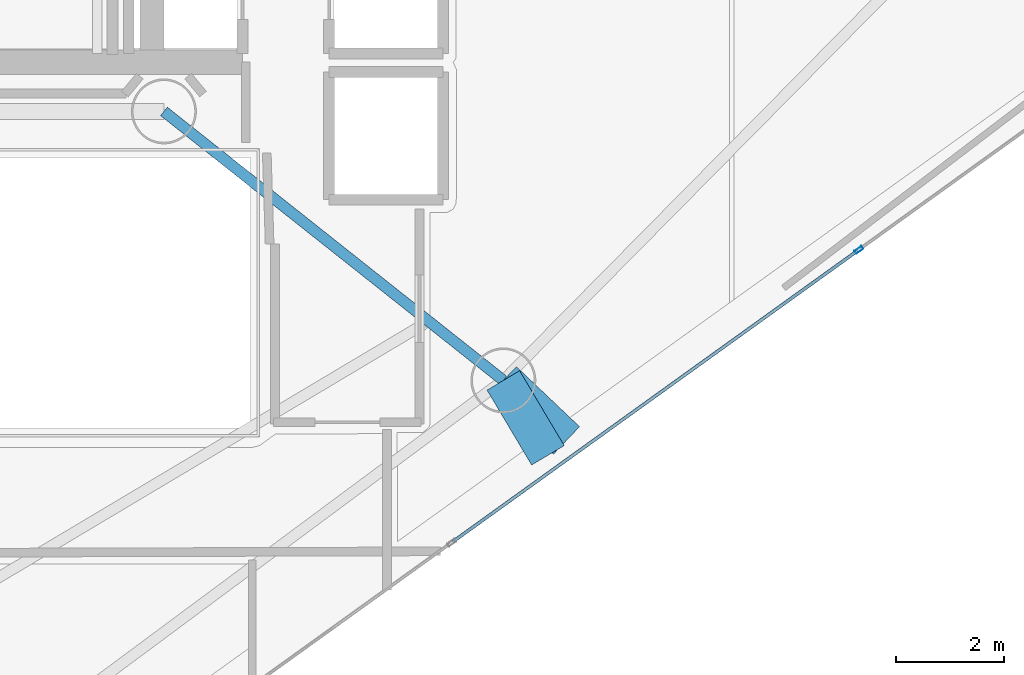
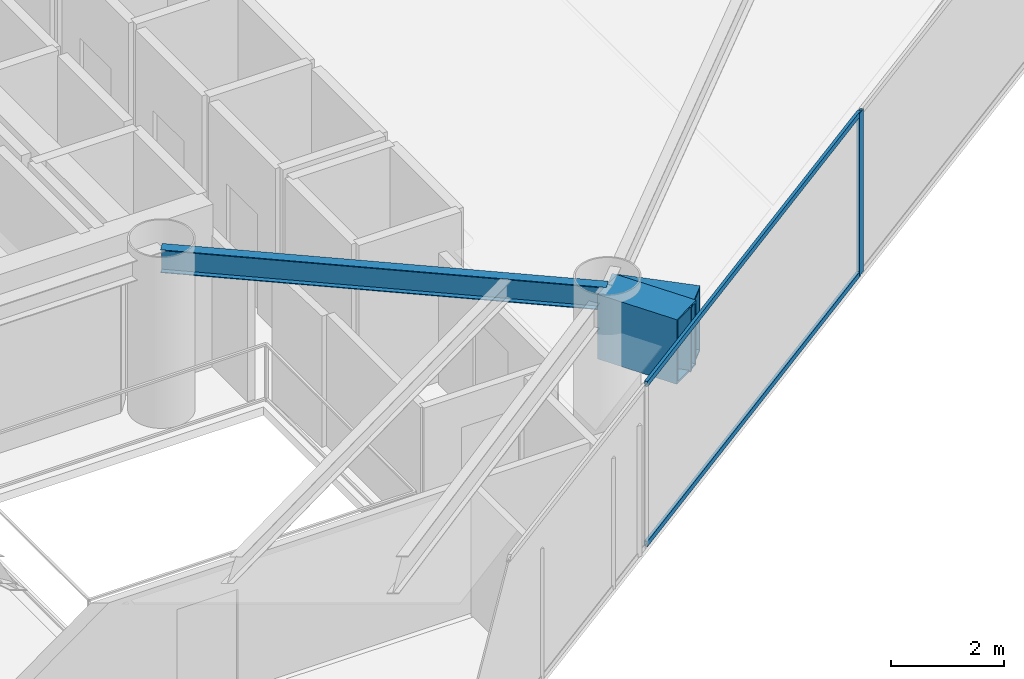
# One storey, part 7 of 22: 3 beams, 3 members, 1 element without a shape of its own.
"""IFC4 building model written with IfcOpenShell, lengths in metres."""

from ifc_helpers import new_model, si_unit, direction, frame, origin, origin_2d, place, context, subcontext, project, spatial, hollow_rectangle, i_section, extrude, material, layer, layer_set, material_profile, profile_set, type_object, element, aggregate, save


model = new_model("IFC4")

# Units and contexts
model_context = context("Model", 3, precision=1e-05, world=origin(), true_north=direction((0.0, 1.0)))
body_context = subcontext(model_context, "Body", "Model", "MODEL_VIEW")
ifc_project = project(units=[si_unit("LENGTHUNIT", "METRE"), si_unit("AREAUNIT", "SQUARE_METRE"), si_unit("VOLUMEUNIT", "CUBIC_METRE"), si_unit("PLANEANGLEUNIT", "RADIAN"), si_unit("MASSUNIT", "GRAM", prefix="KILO")], contexts=[model_context])

# Site, building, storey
site_placement = place(None, origin())
site = spatial("IfcSite", under=ifc_project, at=site_placement, CompositionType="ELEMENT")
building_placement = place(site_placement, origin())
building = spatial("IfcBuilding", under=site, at=building_placement, Name="Qianvela Tower", CompositionType="ELEMENT")
storey_placement = place(building_placement, frame((0.0, 0.0, 204.0)))
storey = spatial("IfcBuildingStorey", under=building, at=storey_placement, Name="L52", CompositionType="ELEMENT", Elevation=204.0)

# Beams
ifc_material_1 = material(Name="Steel Q355B", Category="steel")
ifc_material_profile_1 = material_profile(ifc_material_1, i_section(OverallWidth=0.199951171875, OverallDepth=0.5, WebThickness=0.010009765625, FlangeThickness=0.01611328125, at=origin_2d()), Name="HN500x200x10x16")
ifc_profile_set_1 = profile_set([ifc_material_profile_1], Name="Steel Q355B")
beam_type_1 = type_object("IfcBeamType", Name="BM-HN500-GIRD", PredefinedType="BEAM", material=ifc_profile_set_1)
beam_1_placement = place(storey_placement, frame((38.39990234375, 23.85009765625, 3.26806640625), z_axis=(0.783705217119, -0.621132942824, 0.0), x_axis=(0.621132942824, 0.783705217119, 0.0)))
element("IfcBeam", 1, at=beam_1_placement, inside=storey, type_object=beam_type_1, Name="L52 Radial Primary Floor Girder 6", PredefinedType="BEAM", context=body_context, shape_type="SweptSolid", body=[
    extrude(i_section(OverallWidth=0.199951171875, OverallDepth=0.5, WebThickness=0.010009765625, FlangeThickness=0.01611328125, at=origin_2d()), origin(), (0.0, 0.0, 1.0), 7.996826171875),
])
ifc_material_2 = material(Name="Steel Q420GJC", Category="steel")
ifc_material_profile_2 = material_profile(ifc_material_2, hollow_rectangle(XDim=0.699951171875, YDim=1.39990234375, WallThickness=0.0400390625, at=origin_2d()), Name="TG-BOX-1400x700x40")
ifc_profile_set_2 = profile_set([ifc_material_profile_2], Name="Steel Q420GJC")
beam_type_2 = type_object("IfcBeamType", Name="BM-TG-STEP-1400", PredefinedType="BEAM", material=ifc_profile_set_2)
beam_2_placement = place(storey_placement, frame((44.6669921875, 18.883056640625, 2.81494140625), z_axis=(0.511078421969, -0.859534086932, 0.0), x_axis=(0.859534086932, 0.511078421969, 0.0)))
element("IfcBeam", 2, at=beam_2_placement, inside=storey, type_object=beam_type_2, Name="L52 Mega-Brace Zone Base Bracket F3-1", PredefinedType="BEAM", context=body_context, shape_type="SweptSolid", body=[
    extrude(hollow_rectangle(XDim=0.699951171875, YDim=1.39990234375, WallThickness=0.0400390625, at=origin_2d()), origin(), (0.0, 0.0, 1.0), 1.609375),
])
beam_3_placement = place(storey_placement, frame((44.6669921875, 18.883056640625, 2.81494140625), z_axis=(0.724783475993, -0.688976714358, 0.0), x_axis=(0.688976714358, 0.724783475993, 0.0)))
element("IfcBeam", 3, at=beam_3_placement, inside=storey, type_object=beam_type_2, Name="L52 Mega-Brace Zone Base Bracket F3-2", PredefinedType="BEAM", context=body_context, shape_type="SweptSolid", body=[
    extrude(hollow_rectangle(XDim=0.699951171875, YDim=1.39990234375, WallThickness=0.0400390625, at=origin_2d()), origin(), (0.0, 0.0, 1.0), 1.609130859375),
])

# Curtain wall, members
ifc_material_3 = material(Name="Anodised Architectural Aluminium and Low-E Glass", Category="aluminium")
ifc_layer = layer(ifc_material_3, 0.159912109375)
ifc_layer_set = layer_set([ifc_layer], Name="Anodised Architectural Aluminium and Low-E Glass")
curtain_wall_type = type_object("IfcCurtainWallType", Name="CW-COLIV-Z56", PredefinedType="USERDEFINED", material=ifc_layer_set)
curtain_wall_placement = place(storey_placement, origin())
curtain_wall = element("IfcCurtainWall", 4, at=curtain_wall_placement, inside=storey, type_object=curtain_wall_type, Name="L52 CW-COLIV-Z56 Curtain Wall 06B", ObjectType="CURTAIN_WALL_SYSTEM", PredefinedType="USERDEFINED")
ifc_material_4 = material(Name="Anodised Architectural Aluminium 6063-T6", Category="aluminium")
ifc_material_profile_3 = material_profile(ifc_material_4, hollow_rectangle(XDim=0.06494140625, YDim=0.159912109375, WallThickness=0.0048828125, at=origin_2d()), Name="ALU-MULL-65x160")
ifc_profile_set_3 = profile_set([ifc_material_profile_3], Name="Anodised Architectural Aluminium 6063-T6")
member_type_1 = type_object("IfcMemberType", Name="CW-COLIV-Z56-MULL", PredefinedType="MULLION", material=ifc_profile_set_3)
member_1_placement = place(storey_placement, frame((51.23193359375, 21.294189453125, 0.0), z_axis=(0.0, 0.0, 1.0), x_axis=(-0.583724581505, 0.811951730676, 0.0)))
member_1 = element("IfcMember", 5, at=member_1_placement, type_object=member_type_1, Name="CW-5 mullion 3", PredefinedType="MULLION", context=body_context, shape_type="SweptSolid", body=[
    extrude(hollow_rectangle(XDim=0.06494140625, YDim=0.159912109375, WallThickness=0.0048828125, at=origin_2d()), origin(), (0.0, 0.0, 1.0), 3.52001953125),
])
ifc_material_5 = material(Name="Anodised Architectural Aluminium 6063-T6", Category="aluminium")
ifc_material_profile_4 = material_profile(ifc_material_5, hollow_rectangle(XDim=0.06005859375, YDim=0.114990234375, WallThickness=0.00390625, at=origin_2d()), Name="ALU-TRAN-60x115")
ifc_profile_set_4 = profile_set([ifc_material_profile_4], Name="Anodised Architectural Aluminium 6063-T6")
member_type_2 = type_object("IfcMemberType", Name="CW-COLIV-Z56-TRAN", PredefinedType="USERDEFINED", material=ifc_profile_set_4)
member_2_placement = place(storey_placement, frame((43.737548828125, 15.90625, 0.030029296875), z_axis=(0.811950502197, 0.583726290295, 0.0), x_axis=(-0.583726290295, 0.811950502197, 0.0)))
member_2 = element("IfcMember", 6, at=member_2_placement, type_object=member_type_2, Name="CW-5 transom 2.1", ObjectType="TRANSOM", PredefinedType="USERDEFINED", context=body_context, shape_type="SweptSolid", body=[
    extrude(hollow_rectangle(XDim=0.06005859375, YDim=0.114990234375, WallThickness=0.00390625, at=origin_2d()), origin(), (0.0, 0.0, 1.0), 9.197509765625),
])
member_3_placement = place(storey_placement, frame((43.737548828125, 15.90625, 3.489990234375), z_axis=(0.811950502197, 0.583726290295, 0.0), x_axis=(-0.583726290295, 0.811950502197, 0.0)))
member_3 = element("IfcMember", 7, at=member_3_placement, type_object=member_type_2, Name="CW-5 transom 2.2", ObjectType="TRANSOM", PredefinedType="USERDEFINED", context=body_context, shape_type="SweptSolid", body=[
    extrude(hollow_rectangle(XDim=0.06005859375, YDim=0.114990234375, WallThickness=0.00390625, at=origin_2d()), origin(), (0.0, 0.0, 1.0), 9.197509765625),
])
aggregate(curtain_wall, [member_1, member_2, member_3])

save(model, "model.ifc")
